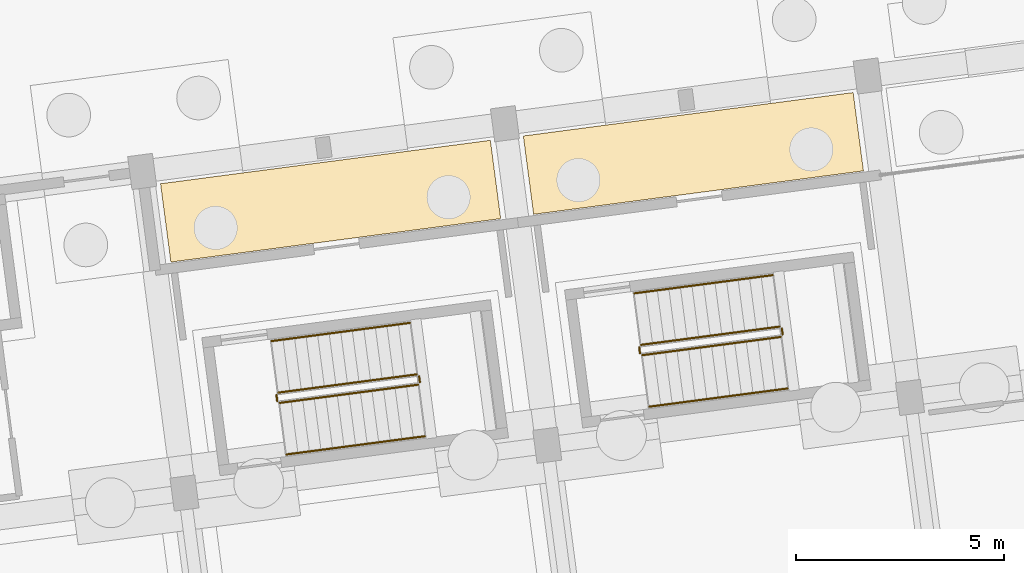
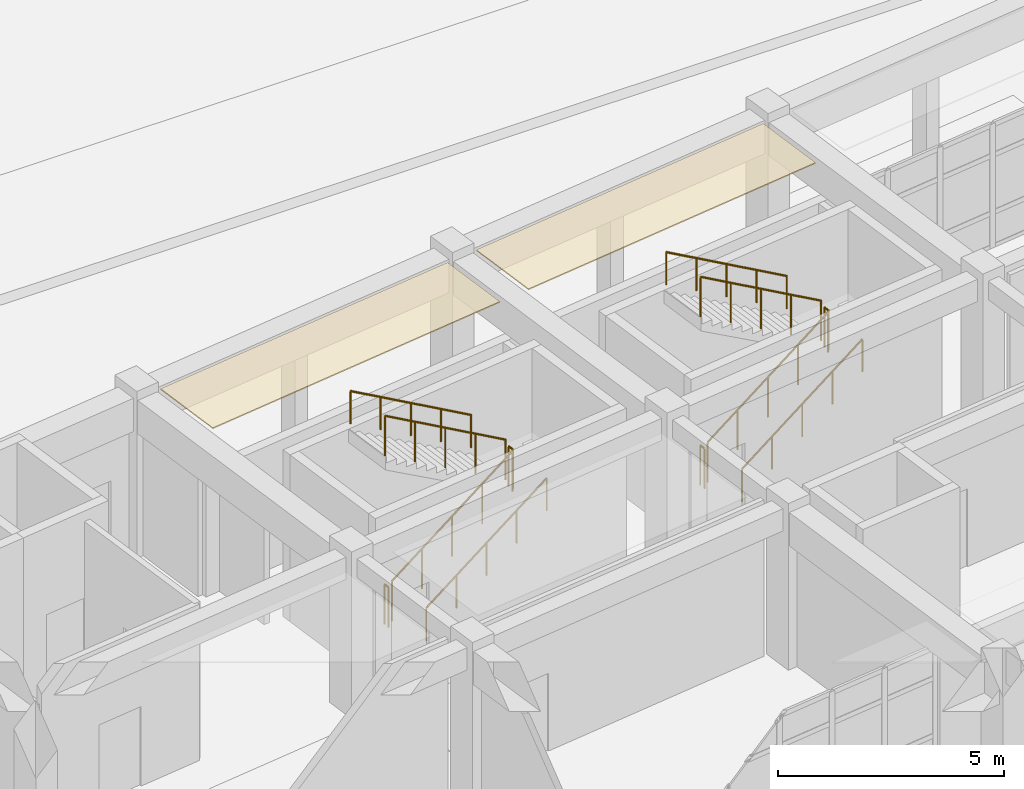
# One storey, part 146 of 154: 12 railings, 2 coverings.
"""IFC4 building model written with IfcOpenShell, lengths in metres."""

from ifc_helpers import new_model, si_unit, direction, frame, origin, origin_2d, place, context, subcontext, project, spatial, rectangle, circle, extrude, material, layer, layer_set, type_object, element, save


model = new_model("IFC4")

# Units and contexts
model_context = context("Model", 3, precision=1e-05, world=origin(), true_north=direction((0.0, 1.0)))
body_context = subcontext(model_context, "Body", "Model", "MODEL_VIEW")
ifc_project = project(units=[si_unit("LENGTHUNIT", "METRE"), si_unit("AREAUNIT", "SQUARE_METRE"), si_unit("VOLUMEUNIT", "CUBIC_METRE"), si_unit("PLANEANGLEUNIT", "RADIAN"), si_unit("MASSUNIT", "GRAM", prefix="KILO")], contexts=[model_context])

# Site, building, storey
site_placement = place(None, origin())
site = spatial("IfcSite", under=ifc_project, at=site_placement, CompositionType="ELEMENT")
building_placement = place(site_placement, origin())
building = spatial("IfcBuilding", under=site, at=building_placement, Name="Kestramere Prow Commons", CompositionType="ELEMENT")
storey_placement = place(building_placement, origin())
storey = spatial("IfcBuildingStorey", under=building, at=storey_placement, Name="L00", CompositionType="ELEMENT", Elevation=0.0)

# Coverings
ifc_material_1 = material(Name="Perforated Aluminium Colonnade Soffit Cladding", Category="aluminium")
ifc_layer = layer(ifc_material_1, 0.030029296875)
ifc_layer_set = layer_set([ifc_layer], Name="Perforated Aluminium Colonnade Soffit Cladding")
covering_type = type_object("IfcCoveringType", Name="COV-SOFFIT-ALU", PredefinedType="CLADDING", material=ifc_layer_set)
for number, where, z_axis, x_axis, name in (
    (1, (21.84619140625, 92.262939453125, 4.22021484375), (0.0, 0.0, 1.0), (0.991444861374, 0.13052619222, 0.0), "Block A North Colonnade Soffit Panel 2"),
    (2, (30.571044921875, 93.41162109375, 4.22021484375), (0.0, 0.0, 1.0), (0.991444861374, 0.13052619222, 0.0), "Block A North Colonnade Soffit Panel 3"),
):
    element("IfcCovering", number, at=place(storey_placement, frame(where, z_axis=z_axis, x_axis=x_axis)), inside=storey, type_object=covering_type, Name=name, PredefinedType="CLADDING", context=body_context, shape_type="SweptSolid", body=[
        extrude(rectangle(XDim=8.0, YDim=1.89990234375, at=origin_2d()), origin(), (0.0, 0.0, 1.0), 0.030029296875),
    ])

# Railings
ifc_material_2 = material(Name="Galvanised Steel S275JR", Category="steel")
railing_type_1 = type_object("IfcRailingType", Name="RL-ST-GR-1100", PredefinedType="GUARDRAIL", material=ifc_material_2)
railing_1_placement = place(storey_placement, frame((20.618896484375, 87.411376953125, 0.173095703125)))
element("IfcRailing", 3, at=railing_1_placement, inside=storey, type_object=railing_type_1, Name="L00 ST-A1 stair guard 1", PredefinedType="GUARDRAIL", context=body_context, shape_type="SweptSolid", body=[
    extrude(circle(Radius=0.02392578125, at=origin_2d()), frame((0.0, 0.0, 1.076171875), z_axis=(0.843343954347, 0.111003718725, 0.525784318038), x_axis=(-0.130497742554, 0.991448606428, 0.0)), (0.0, 0.0, 1.0), 3.9501953125),
    extrude(circle(Radius=0.02099609375, at=origin_2d()), origin(), (0.0, 0.0, 1.0), 1.052001953125),
    extrude(circle(Radius=0.02099609375, at=origin_2d()), frame((0.832763671875, 0.109619140625, 0.519287109375)), (0.0, 0.0, 1.0), 1.052001953125),
    extrude(circle(Radius=0.02099609375, at=origin_2d()), frame((1.66552734375, 0.21923828125, 1.03857421875)), (0.0, 0.0, 1.0), 1.052001953125),
    extrude(circle(Radius=0.02099609375, at=origin_2d()), frame((2.49853515625, 0.328857421875, 1.5576171875)), (0.0, 0.0, 1.0), 1.052001953125),
    extrude(circle(Radius=0.02099609375, at=origin_2d()), frame((3.331298828125, 0.4384765625, 2.076904296875)), (0.0, 0.0, 1.0), 1.052001953125),
])
railing_2_placement = place(storey_placement, frame((23.993408203125, 87.906005859375, 2.25)))
element("IfcRailing", 4, at=railing_2_placement, inside=storey, type_object=railing_type_1, Name="L00 ST-A1 stair guard 2", PredefinedType="GUARDRAIL", context=body_context, shape_type="SweptSolid", body=[
    extrude(circle(Radius=0.02392578125, at=origin_2d()), frame((0.0, 0.0, 1.076171875), z_axis=(-0.131843859112, 0.99127049629, 0.0), x_axis=(-0.99127049629, -0.131843859112, 0.0)), (0.0, 0.0, 1.0), 0.14990234375),
    extrude(circle(Radius=0.02099609375, at=origin_2d()), origin(), (0.0, 0.0, 1.0), 1.052001953125),
    extrude(circle(Radius=0.02099609375, at=origin_2d()), frame((-0.019775390625, 0.148681640625, 0.0)), (0.0, 0.0, 1.0), 1.052001953125),
])
railing_3_placement = place(storey_placement, frame((23.917724609375, 88.09765625, 2.423095703125)))
element("IfcRailing", 5, at=railing_3_placement, inside=storey, type_object=railing_type_1, Name="L00 ST-A1 stair guard 3", PredefinedType="GUARDRAIL", context=body_context, shape_type="SweptSolid", body=[
    extrude(circle(Radius=0.02392578125, at=origin_2d()), frame((0.0, 0.0, 1.076171875), z_axis=(-0.843343954347, -0.111003718725, 0.525784318038), x_axis=(0.130497742554, -0.991448606428, 0.0)), (0.0, 0.0, 1.0), 3.9501953125),
    extrude(circle(Radius=0.02099609375, at=origin_2d()), origin(), (0.0, 0.0, 1.0), 1.052001953125),
    extrude(circle(Radius=0.02099609375, at=origin_2d()), frame((-0.832763671875, -0.109619140625, 0.519287109375)), (0.0, 0.0, 1.0), 1.052001953125),
    extrude(circle(Radius=0.02099609375, at=origin_2d()), frame((-1.66552734375, -0.21923828125, 1.03857421875)), (0.0, 0.0, 1.0), 1.052001953125),
    extrude(circle(Radius=0.02099609375, at=origin_2d()), frame((-2.49853515625, -0.328857421875, 1.5576171875)), (0.0, 0.0, 1.0), 1.052001953125),
    extrude(circle(Radius=0.02099609375, at=origin_2d()), frame((-3.331298828125, -0.4384765625, 2.076904296875)), (0.0, 0.0, 1.0), 1.052001953125),
])
railing_4_placement = place(storey_placement, frame((20.56298828125, 87.454345703125, 0.0)))
element("IfcRailing", 6, at=railing_4_placement, inside=storey, type_object=railing_type_1, Name="L00 ST-A1 stair guard 4", PredefinedType="GUARDRAIL", context=body_context, shape_type="SweptSolid", body=[
    extrude(circle(Radius=0.02392578125, at=origin_2d()), frame((0.0, 0.0, 1.076171875), z_axis=(-0.131843859112, 0.99127049629, 0.0), x_axis=(-0.99127049629, -0.131843859112, 0.0)), (0.0, 0.0, 1.0), 0.14990234375),
    extrude(circle(Radius=0.02099609375, at=origin_2d()), origin(), (0.0, 0.0, 1.0), 1.052001953125),
    extrude(circle(Radius=0.02099609375, at=origin_2d()), frame((-0.019775390625, 0.148681640625, 0.0)), (0.0, 0.0, 1.0), 1.052001953125),
])
railing_5_placement = place(storey_placement, frame((29.34375, 88.559814453125, 0.173095703125)))
element("IfcRailing", 7, at=railing_5_placement, inside=storey, type_object=railing_type_1, Name="L00 ST-A2 stair guard 1", PredefinedType="GUARDRAIL", context=body_context, shape_type="SweptSolid", body=[
    extrude(circle(Radius=0.02392578125, at=origin_2d()), frame((0.0, 0.0, 1.076171875), z_axis=(0.843338166862, 0.111064762613, 0.52578070982), x_axis=(-0.130569164372, 0.991439203035, 0.0)), (0.0, 0.0, 1.0), 3.9501953125),
    extrude(circle(Radius=0.02099609375, at=origin_2d()), origin(), (0.0, 0.0, 1.0), 1.052001953125),
    extrude(circle(Radius=0.02099609375, at=origin_2d()), frame((0.832763671875, 0.109619140625, 0.519287109375)), (0.0, 0.0, 1.0), 1.052001953125),
    extrude(circle(Radius=0.02099609375, at=origin_2d()), frame((1.66552734375, 0.21923828125, 1.03857421875)), (0.0, 0.0, 1.0), 1.052001953125),
    extrude(circle(Radius=0.02099609375, at=origin_2d()), frame((2.49853515625, 0.3291015625, 1.5576171875)), (0.0, 0.0, 1.0), 1.052001953125),
    extrude(circle(Radius=0.02099609375, at=origin_2d()), frame((3.331298828125, 0.438720703125, 2.076904296875)), (0.0, 0.0, 1.0), 1.052001953125),
])
railing_6_placement = place(storey_placement, frame((32.718017578125, 89.0546875, 2.25)))
element("IfcRailing", 8, at=railing_6_placement, inside=storey, type_object=railing_type_1, Name="L00 ST-A2 stair guard 2", PredefinedType="GUARDRAIL", context=body_context, shape_type="SweptSolid", body=[
    extrude(circle(Radius=0.02392578125, at=origin_2d()), frame((0.0, 0.0, 1.076171875), z_axis=(-0.130243938252, 0.991481979941, 0.0), x_axis=(-0.991481979941, -0.130243938252, 0.0)), (0.0, 0.0, 1.0), 0.14990234375),
    extrude(circle(Radius=0.02099609375, at=origin_2d()), origin(), (0.0, 0.0, 1.0), 1.052001953125),
    extrude(circle(Radius=0.02099609375, at=origin_2d()), frame((-0.01953125, 0.148681640625, 0.0)), (0.0, 0.0, 1.0), 1.052001953125),
])
railing_7_placement = place(storey_placement, frame((32.642333984375, 89.246337890625, 2.423095703125)))
element("IfcRailing", 9, at=railing_7_placement, inside=storey, type_object=railing_type_1, Name="L00 ST-A2 stair guard 3", PredefinedType="GUARDRAIL", context=body_context, shape_type="SweptSolid", body=[
    extrude(circle(Radius=0.02392578125, at=origin_2d()), frame((0.0, 0.0, 1.076171875), z_axis=(-0.843343954347, -0.111003718725, 0.525784318038), x_axis=(0.130497742554, -0.991448606428, 0.0)), (0.0, 0.0, 1.0), 3.9501953125),
    extrude(circle(Radius=0.02099609375, at=origin_2d()), origin(), (0.0, 0.0, 1.0), 1.052001953125),
    extrude(circle(Radius=0.02099609375, at=origin_2d()), frame((-0.832763671875, -0.109619140625, 0.519287109375)), (0.0, 0.0, 1.0), 1.052001953125),
    extrude(circle(Radius=0.02099609375, at=origin_2d()), frame((-1.66552734375, -0.21923828125, 1.03857421875)), (0.0, 0.0, 1.0), 1.052001953125),
    extrude(circle(Radius=0.02099609375, at=origin_2d()), frame((-2.49853515625, -0.328857421875, 1.5576171875)), (0.0, 0.0, 1.0), 1.052001953125),
    extrude(circle(Radius=0.02099609375, at=origin_2d()), frame((-3.331298828125, -0.4384765625, 2.076904296875)), (0.0, 0.0, 1.0), 1.052001953125),
])
railing_8_placement = place(storey_placement, frame((29.28759765625, 88.60302734375, 0.0)))
element("IfcRailing", 10, at=railing_8_placement, inside=storey, type_object=railing_type_1, Name="L00 ST-A2 stair guard 4", PredefinedType="GUARDRAIL", context=body_context, shape_type="SweptSolid", body=[
    extrude(circle(Radius=0.02392578125, at=origin_2d()), frame((0.0, 0.0, 1.076171875), z_axis=(-0.130243938252, 0.991481979941, 0.0), x_axis=(-0.991481979941, -0.130243938252, 0.0)), (0.0, 0.0, 1.0), 0.14990234375),
    extrude(circle(Radius=0.02099609375, at=origin_2d()), origin(), (0.0, 0.0, 1.0), 1.052001953125),
    extrude(circle(Radius=0.02099609375, at=origin_2d()), frame((-0.01953125, 0.148681640625, 0.0)), (0.0, 0.0, 1.0), 1.052001953125),
])
ifc_material_3 = material(Name="Stainless Steel 304", Category="steel")
railing_type_2 = type_object("IfcRailingType", Name="RL-ST-HR-900", PredefinedType="HANDRAIL", material=ifc_material_3)
railing_9_placement = place(storey_placement, frame((20.7822265625, 86.171875, 0.34619140625)))
element("IfcRailing", 11, at=railing_9_placement, inside=storey, type_object=railing_type_2, Name="L00 ST-A1 stair handrail 1", PredefinedType="HANDRAIL", context=body_context, shape_type="SweptSolid", body=[
    extrude(circle(Radius=0.02392578125, at=origin_2d()), frame((0.0, 0.0, 0.8759765625), z_axis=(0.843338166862, 0.111064762613, 0.52578070982), x_axis=(-0.130569164372, 0.991439203035, 0.0)), (0.0, 0.0, 1.0), 3.9501953125),
    extrude(circle(Radius=0.02099609375, at=origin_2d()), origin(), (0.0, 0.0, 1.0), 0.851806640625),
    extrude(circle(Radius=0.02099609375, at=origin_2d()), frame((0.832763671875, 0.109619140625, 0.519287109375)), (0.0, 0.0, 1.0), 0.851806640625),
    extrude(circle(Radius=0.02099609375, at=origin_2d()), frame((1.66552734375, 0.21923828125, 1.03857421875)), (0.0, 0.0, 1.0), 0.851806640625),
    extrude(circle(Radius=0.02099609375, at=origin_2d()), frame((2.49853515625, 0.3291015625, 1.5576171875)), (0.0, 0.0, 1.0), 0.851806640625),
    extrude(circle(Radius=0.02099609375, at=origin_2d()), frame((3.331298828125, 0.438720703125, 2.076904296875)), (0.0, 0.0, 1.0), 0.851806640625),
])
railing_10_placement = place(storey_placement, frame((23.75439453125, 89.3369140625, 2.59619140625)))
element("IfcRailing", 12, at=railing_10_placement, inside=storey, type_object=railing_type_2, Name="L00 ST-A1 stair handrail 2", PredefinedType="HANDRAIL", context=body_context, shape_type="SweptSolid", body=[
    extrude(circle(Radius=0.02392578125, at=origin_2d()), frame((0.0, 0.0, 0.8759765625), z_axis=(-0.843343954347, -0.111003718725, 0.525784318038), x_axis=(0.130497742554, -0.991448606428, 0.0)), (0.0, 0.0, 1.0), 3.9501953125),
    extrude(circle(Radius=0.02099609375, at=origin_2d()), origin(), (0.0, 0.0, 1.0), 0.851806640625),
    extrude(circle(Radius=0.02099609375, at=origin_2d()), frame((-0.832763671875, -0.109619140625, 0.519287109375)), (0.0, 0.0, 1.0), 0.851806640625),
    extrude(circle(Radius=0.02099609375, at=origin_2d()), frame((-1.66552734375, -0.21923828125, 1.03857421875)), (0.0, 0.0, 1.0), 0.851806640625),
    extrude(circle(Radius=0.02099609375, at=origin_2d()), frame((-2.49853515625, -0.328857421875, 1.5576171875)), (0.0, 0.0, 1.0), 0.851806640625),
    extrude(circle(Radius=0.02099609375, at=origin_2d()), frame((-3.331298828125, -0.4384765625, 2.076904296875)), (0.0, 0.0, 1.0), 0.851806640625),
])
railing_11_placement = place(storey_placement, frame((29.5068359375, 87.320556640625, 0.34619140625)))
element("IfcRailing", 13, at=railing_11_placement, inside=storey, type_object=railing_type_2, Name="L00 ST-A2 stair handrail 1", PredefinedType="HANDRAIL", context=body_context, shape_type="SweptSolid", body=[
    extrude(circle(Radius=0.02392578125, at=origin_2d()), frame((0.0, 0.0, 0.8759765625), z_axis=(0.843338166862, 0.111064762613, 0.52578070982), x_axis=(-0.130569164372, 0.991439203035, 0.0)), (0.0, 0.0, 1.0), 3.9501953125),
    extrude(circle(Radius=0.02099609375, at=origin_2d()), origin(), (0.0, 0.0, 1.0), 0.851806640625),
    extrude(circle(Radius=0.02099609375, at=origin_2d()), frame((0.832763671875, 0.109619140625, 0.519287109375)), (0.0, 0.0, 1.0), 0.851806640625),
    extrude(circle(Radius=0.02099609375, at=origin_2d()), frame((1.66552734375, 0.21923828125, 1.03857421875)), (0.0, 0.0, 1.0), 0.851806640625),
    extrude(circle(Radius=0.02099609375, at=origin_2d()), frame((2.49853515625, 0.3291015625, 1.5576171875)), (0.0, 0.0, 1.0), 0.851806640625),
    extrude(circle(Radius=0.02099609375, at=origin_2d()), frame((3.331298828125, 0.438720703125, 2.076904296875)), (0.0, 0.0, 1.0), 0.851806640625),
])
railing_12_placement = place(storey_placement, frame((32.479248046875, 90.485595703125, 2.59619140625)))
element("IfcRailing", 14, at=railing_12_placement, inside=storey, type_object=railing_type_2, Name="L00 ST-A2 stair handrail 2", PredefinedType="HANDRAIL", context=body_context, shape_type="SweptSolid", body=[
    extrude(circle(Radius=0.02392578125, at=origin_2d()), frame((0.0, 0.0, 0.8759765625), z_axis=(-0.843343954347, -0.111003718725, 0.525784318038), x_axis=(0.130497742554, -0.991448606428, 0.0)), (0.0, 0.0, 1.0), 3.9501953125),
    extrude(circle(Radius=0.02099609375, at=origin_2d()), origin(), (0.0, 0.0, 1.0), 0.851806640625),
    extrude(circle(Radius=0.02099609375, at=origin_2d()), frame((-0.832763671875, -0.109619140625, 0.519287109375)), (0.0, 0.0, 1.0), 0.851806640625),
    extrude(circle(Radius=0.02099609375, at=origin_2d()), frame((-1.66552734375, -0.21923828125, 1.03857421875)), (0.0, 0.0, 1.0), 0.851806640625),
    extrude(circle(Radius=0.02099609375, at=origin_2d()), frame((-2.49853515625, -0.328857421875, 1.5576171875)), (0.0, 0.0, 1.0), 0.851806640625),
    extrude(circle(Radius=0.02099609375, at=origin_2d()), frame((-3.331298828125, -0.4384765625, 2.076904296875)), (0.0, 0.0, 1.0), 0.851806640625),
])

save(model, "model.ifc")
